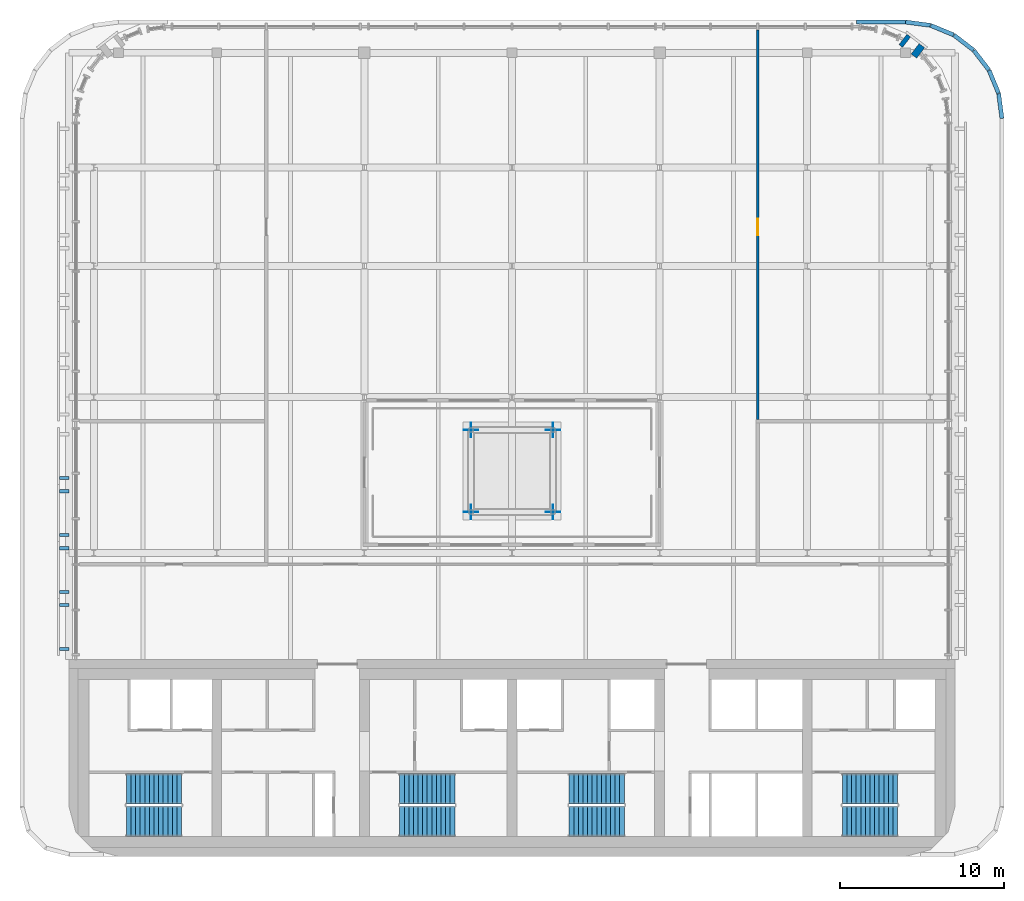
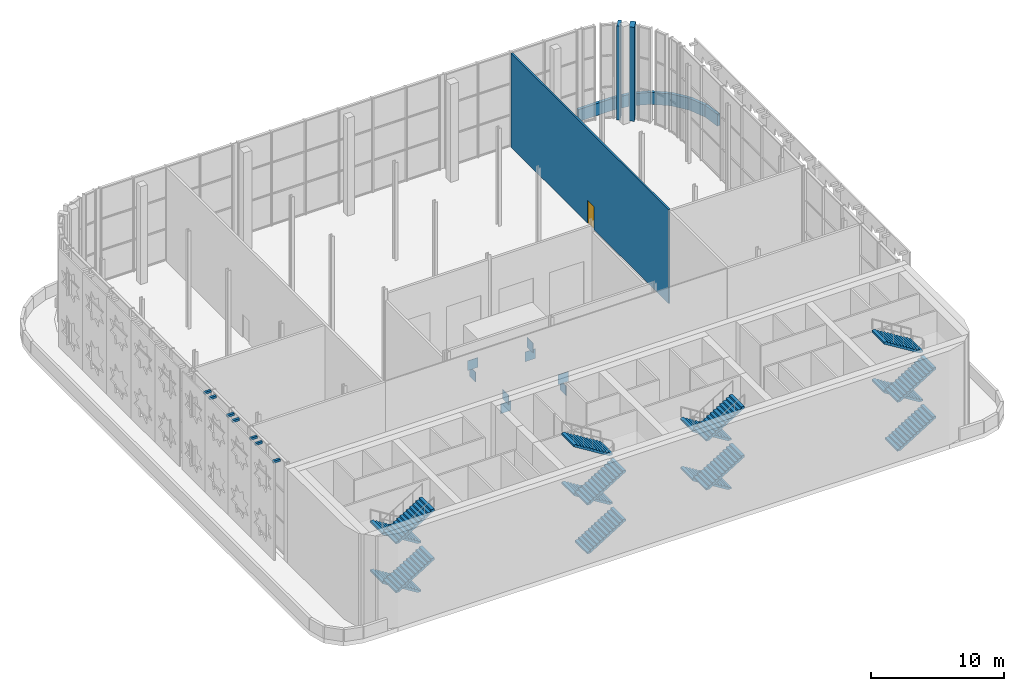
# One storey, part 20 of 26: 16 stair flights, 15 discrete accessories, 10 walls, 1 door, 1 opening, 4 elements without a shape of their own.
"""IFC4 building model written with IfcOpenShell, lengths in metres."""

from ifc_helpers import new_model, si_unit, direction, frame, frame_2d, origin, origin_2d, place, context, subcontext, project, spatial, polyline, rectangle, outline, extrude, material, layer, layer_set, type_object, element, fill, aggregate, save


model = new_model("IFC4")

# Units and contexts
model_context = context("Model", 3, precision=1e-05, world=origin(), true_north=direction((0.0, 1.0)))
body_context = subcontext(model_context, "Body", "Model", "MODEL_VIEW")
ifc_project = project(units=[si_unit("LENGTHUNIT", "METRE"), si_unit("AREAUNIT", "SQUARE_METRE"), si_unit("VOLUMEUNIT", "CUBIC_METRE"), si_unit("PLANEANGLEUNIT", "RADIAN"), si_unit("MASSUNIT", "GRAM", prefix="KILO")], contexts=[model_context])

# Site, building, storey
site_placement = place(None, origin())
site = spatial("IfcSite", under=ifc_project, at=site_placement, CompositionType="ELEMENT")
building_placement = place(site_placement, origin())
building = spatial("IfcBuilding", under=site, at=building_placement, Name="Zellij Exchange Tower", CompositionType="ELEMENT")
storey_placement = place(building_placement, frame((0.0, 0.0, 296.5)))
storey = spatial("IfcBuildingStorey", under=building, at=storey_placement, Name="L70", CompositionType="ELEMENT", Elevation=296.5)

# Walls
ifc_material_1 = material(Name="Precast concrete C40/50", Category="concrete")
ifc_layer_1 = layer(ifc_material_1, 0.800048828125)
ifc_layer_set_1 = layer_set([ifc_layer_1], Name="Precast concrete C40/50")
wall_type_1 = type_object("IfcWallType", Name="ENV-EW1 Precast stone-piered wall 800", PredefinedType="SOLIDWALL", material=ifc_layer_set_1)
wall_1_placement = place(storey_placement, frame((24.91552734375, 34.9892578125, 0.0), z_axis=(0.0, 0.0, 1.0), x_axis=(-0.793165294641, 0.609006416532, 0.0)))
element("IfcWall", 1, at=wall_1_placement, inside=storey, type_object=wall_type_1, Name="fac.L70.08a", PredefinedType="SOLIDWALL", context=body_context, shape_type="SweptSolid", body=[
    extrude(rectangle(XDim=0.4189453125, YDim=0.800048828125, at=frame_2d((0.20947265625, 0.0))), origin(), (0.0, 0.0, 1.0), 8.64990234375),
])
wall_2_placement = place(storey_placement, frame((24.0576171875, 35.647705078125, 0.0), z_axis=(0.0, 0.0, 1.0), x_axis=(-0.793219322038, 0.608936045201, 0.0)))
element("IfcWall", 2, at=wall_2_placement, inside=storey, type_object=wall_type_1, Name="fac.L70.08b", PredefinedType="SOLIDWALL", context=body_context, shape_type="SweptSolid", body=[
    extrude(rectangle(XDim=0.274169921875, YDim=0.800048828125, at=frame_2d((0.13720703125, 0.0))), origin(), (0.0, 0.0, 1.0), 8.64990234375),
])
ifc_layer_2 = layer(ifc_material_1, 0.25)
ifc_layer_set_2 = layer_set([ifc_layer_2], Name="Precast concrete C40/50")
wall_type_2 = type_object("IfcWallType", Name="ENV-PR1 Parapet 250", PredefinedType="PARAPET", material=ifc_layer_set_2)
wall_3_placement = place(storey_placement, frame((29.873779296875, 31.0, 0.0), z_axis=(0.0, 0.0, 1.0), x_axis=(-0.130371242108, 0.991465248625, 0.0)))
element("IfcWall", 3, at=wall_3_placement, inside=storey, type_object=wall_type_2, Name="fac.par.L70.02.01.06", PredefinedType="PARAPET", context=body_context, shape_type="SweptSolid", body=[
    extrude(rectangle(XDim=1.516845703125, YDim=0.25, at=frame_2d((0.75830078125, 0.0))), origin(), (0.0, 0.0, 1.0), 1.10009765625),
])
for number, where, z_axis, x_axis, name in (
    (4, (29.66748046875, 32.535400390625, 0.0), (0.0, 0.0, 1.0), (-0.382696680739, 0.923874044744, 0.0), "fac.par.L70.02.01.07"),
    (5, (29.076904296875, 33.949951171875, 0.0), (0.0, 0.0, 1.0), (-0.608711614562, 0.793391561776, 0.0), "fac.par.L70.02.01.08"),
    (6, (28.140380859375, 35.16357421875, 0.0), (0.0, 0.0, 1.0), (-0.793391561776, 0.608711614562, 0.0), "fac.par.L70.02.01.09"),
    (7, (26.921630859375, 36.09326171875, 0.0), (0.0, 0.0, 1.0), (-0.923874044744, 0.382696680739, 0.0), "fac.par.L70.02.01.10"),
):
    element("IfcWall", number, at=place(storey_placement, frame(where, z_axis=z_axis, x_axis=x_axis)), inside=storey, type_object=wall_type_2, Name=name, PredefinedType="PARAPET", context=body_context, shape_type="SweptSolid", body=[
        extrude(rectangle(XDim=1.50048828125, YDim=0.25, at=frame_2d((0.750244140625, 0.0))), origin(), (0.0, 0.0, 1.0), 1.10009765625),
    ])
wall_4_placement = place(storey_placement, frame((25.50390625, 36.676025390625, 0.0), z_axis=(0.0, 0.0, 1.0), x_axis=(-0.991465248625, 0.130371242108, 0.0)))
element("IfcWall", 8, at=wall_4_placement, inside=storey, type_object=wall_type_2, Name="fac.par.L70.02.01.11", PredefinedType="PARAPET", context=body_context, shape_type="SweptSolid", body=[
    extrude(rectangle(XDim=1.516845703125, YDim=0.25, at=frame_2d((0.75830078125, 0.0))), origin(), (0.0, 0.0, 1.0), 1.10009765625),
])
wall_5_placement = place(storey_placement, frame((23.983642578125, 36.875, 0.0), z_axis=(0.0, 0.0, 1.0), x_axis=(-1.0, 0.0, 0.0)))
element("IfcWall", 9, at=wall_5_placement, inside=storey, type_object=wall_type_2, Name="fac.par.L70.02.01.12", PredefinedType="PARAPET", context=body_context, shape_type="SweptSolid", body=[
    extrude(rectangle(XDim=2.98291015625, YDim=0.25, at=frame_2d((1.491455078125, 0.0))), origin(), (0.0, 0.0, 1.0), 1.10009765625),
])

# Wall, opening, door
ifc_material_2 = material(Name="Gypsum board shaft-wall partition", Category="gypsum")
ifc_layer_3 = layer(ifc_material_2, 0.14990234375)
ifc_layer_set_3 = layer_set([ifc_layer_3], Name="Gypsum board shaft-wall partition")
wall_type_3 = type_object("IfcWallType", Name="FIT-PARTITION-150-EI60", PredefinedType="PARTITIONING", material=ifc_layer_set_3)
wall_6_placement = place(storey_placement, frame((14.989990234375, 12.639892578125, 0.0), z_axis=(0.0, 0.0, 1.0), x_axis=(0.0, 1.0, 0.0)))
wall_6 = element("IfcWall", 10, at=wall_6_placement, inside=storey, type_object=wall_type_3, Name="FIT-PARTITION-150-EI60 011", PredefinedType="PARTITIONING", context=body_context, shape_type="SweptSolid", body=[
    extrude(rectangle(XDim=23.736083984375, YDim=0.14990234375, at=frame_2d((11.8681640625, 0.0))), origin(), (0.0, 0.0, 1.0), 8.64990234375),
])
opening_placement = place(wall_6_placement, frame((11.25, 0.0, 0.0)))
opening = element("IfcOpeningElement", 11, at=opening_placement, cuts=wall_6, Name="Opening DMP.08", PredefinedType="OPENING", context=body_context, shape_type="SweptSolid", body=[
    extrude(rectangle(XDim=1.0, YDim=2.10009765625, at=frame_2d((0.5, 1.050048828125))), frame((0.0, 0.0869140625, 0.0), z_axis=(0.0, -1.0, 0.0), x_axis=(1.0, 0.0, 0.0)), (0.0, 0.0, 1.0), 0.173828125),
])
ifc_material_3 = material(Name="Steel fire door set", Category="steel")
door_type = type_object("IfcDoorType", Name="FIT-D21-PLANT-1000X2100", OperationType="SINGLE_SWING_LEFT", PredefinedType="DOOR", material=ifc_material_3)
door_placement = place(opening_placement, origin())
door = element("IfcDoor", 12, at=door_placement, inside=storey, type_object=door_type, Name="Door DMP.08", OperationType="SINGLE_SWING_LEFT", OverallHeight=2.10009765625, OverallWidth=1.0, PredefinedType="DOOR", context=body_context, shape_type="SweptSolid", body=[
    extrude(rectangle(XDim=1.0, YDim=2.10009765625, at=frame_2d((0.5, 1.050048828125))), frame((0.0, 0.02490234375, 0.0), z_axis=(0.0, -1.0, 0.0), x_axis=(1.0, 0.0, 0.0)), (0.0, 0.0, 1.0), 0.050048828125),
])
fill(opening, door)

# Stair, stair flights
ifc_material_4 = material(Name="Concrete C40/50", Category="concrete")
stair_type = type_object("IfcStairType", Name="CORE-ST exit stair 1850 wide", PredefinedType="HALF_TURN_STAIR", material=ifc_material_4)
stair_1_placement = place(storey_placement, origin())
stair_1 = element("IfcStair", 13, at=stair_1_placement, inside=storey, type_object=stair_type, Name="L70 exit stair ST1", PredefinedType="HALF_TURN_STAIR")
stair_flight_type = type_object("IfcStairFlightType", Name="CORE-SF flight 1850 riser 173.1 going 280", PredefinedType="STRAIGHT", material=ifc_material_4)
stair_flight_1_placement = place(storey_placement, frame((-20.14990234375, -9.875, 0.0), z_axis=(0.0, 0.0, 1.0), x_axis=(-1.0, 0.0, 0.0)))
stair_flight_1 = element("IfcStairFlight", 14, at=stair_flight_1_placement, type_object=stair_flight_type, Name="ST1 flight 1", NumberOfRisers=13, NumberOfTreads=12, PredefinedType="STRAIGHT", RiserHeight=0.173076923, TreadLength=0.28, context=body_context, shape_type="SweptSolid", body=[
    extrude(outline(polyline([(0.0, 0.0), (0.0, 0.173095703125), (0.280029296875, 0.173095703125), (0.280029296875, 0.34619140625), (0.56005859375, 0.34619140625), (0.56005859375, 0.519287109375), (0.840087890625, 0.519287109375), (0.840087890625, 0.6923828125), (1.1201171875, 0.6923828125), (1.1201171875, 0.865478515625), (1.39990234375, 0.865478515625), (1.39990234375, 1.03857421875), (1.679931640625, 1.03857421875), (1.679931640625, 1.21142578125), (1.9599609375, 1.21142578125), (1.9599609375, 1.384521484375), (2.239990234375, 1.384521484375), (2.239990234375, 1.5576171875), (2.52001953125, 1.5576171875), (2.52001953125, 1.730712890625), (2.800048828125, 1.730712890625), (2.800048828125, 1.90380859375), (3.080078125, 1.90380859375), (3.080078125, 2.076904296875), (3.360107421875, 2.076904296875), (3.360107421875, 2.25), (3.360107421875, 1.900634765625), (0.28515625, 0.0), (0.0, 0.0)])), frame((0.0, 0.925048828125, 0.0), z_axis=(0.0, -1.0, 0.0), x_axis=(1.0, 0.0, 0.0)), (0.0, 0.0, 1.0), 1.85009765625),
])
stair_flight_2_placement = place(storey_placement, frame((-23.510009765625, -11.875, 2.25), z_axis=(0.0, 0.0, 1.0), x_axis=(1.0, 0.0, 0.0)))
stair_flight_2 = element("IfcStairFlight", 15, at=stair_flight_2_placement, type_object=stair_flight_type, Name="ST1 flight 2", NumberOfRisers=13, NumberOfTreads=12, PredefinedType="STRAIGHT", RiserHeight=0.173076923, TreadLength=0.28, context=body_context, shape_type="SweptSolid", body=[
    extrude(outline(polyline([(0.0, 0.0), (0.0, 0.173095703125), (0.280029296875, 0.173095703125), (0.280029296875, 0.34619140625), (0.56005859375, 0.34619140625), (0.56005859375, 0.519287109375), (0.840087890625, 0.519287109375), (0.840087890625, 0.6923828125), (1.1201171875, 0.6923828125), (1.1201171875, 0.865478515625), (1.39990234375, 0.865478515625), (1.39990234375, 1.03857421875), (1.679931640625, 1.03857421875), (1.679931640625, 1.21142578125), (1.9599609375, 1.21142578125), (1.9599609375, 1.384521484375), (2.239990234375, 1.384521484375), (2.239990234375, 1.5576171875), (2.52001953125, 1.5576171875), (2.52001953125, 1.730712890625), (2.800048828125, 1.730712890625), (2.800048828125, 1.90380859375), (3.080078125, 1.90380859375), (3.080078125, 2.076904296875), (3.360107421875, 2.076904296875), (3.360107421875, 2.25), (3.360107421875, 1.900634765625), (0.28515625, 0.0), (0.0, 0.0)])), frame((0.0, 0.925048828125, 0.0), z_axis=(0.0, -1.0, 0.0), x_axis=(1.0, 0.0, 0.0)), (0.0, 0.0, 1.0), 1.85009765625),
])
stair_flight_3_placement = place(storey_placement, frame((-20.14990234375, -9.875, 4.5), z_axis=(0.0, 0.0, 1.0), x_axis=(-1.0, 0.0, 0.0)))
stair_flight_3 = element("IfcStairFlight", 16, at=stair_flight_3_placement, type_object=stair_flight_type, Name="ST1 flight 3", NumberOfRisers=13, NumberOfTreads=12, PredefinedType="STRAIGHT", RiserHeight=0.173076923, TreadLength=0.28, context=body_context, shape_type="SweptSolid", body=[
    extrude(outline(polyline([(0.0, 0.0), (0.0, 0.173095703125), (0.280029296875, 0.173095703125), (0.280029296875, 0.34619140625), (0.56005859375, 0.34619140625), (0.56005859375, 0.519287109375), (0.840087890625, 0.519287109375), (0.840087890625, 0.6923828125), (1.1201171875, 0.6923828125), (1.1201171875, 0.865478515625), (1.39990234375, 0.865478515625), (1.39990234375, 1.03857421875), (1.679931640625, 1.03857421875), (1.679931640625, 1.21142578125), (1.9599609375, 1.21142578125), (1.9599609375, 1.384521484375), (2.239990234375, 1.384521484375), (2.239990234375, 1.5576171875), (2.52001953125, 1.5576171875), (2.52001953125, 1.730712890625), (2.800048828125, 1.730712890625), (2.800048828125, 1.90380859375), (3.080078125, 1.90380859375), (3.080078125, 2.076904296875), (3.360107421875, 2.076904296875), (3.360107421875, 2.25), (3.360107421875, 1.900634765625), (0.28515625, 0.0), (0.0, 0.0)])), frame((0.0, 0.925048828125, 0.0), z_axis=(0.0, -1.0, 0.0), x_axis=(1.0, 0.0, 0.0)), (0.0, 0.0, 1.0), 1.85009765625),
])
stair_flight_4_placement = place(storey_placement, frame((-23.510009765625, -11.875, 6.75), z_axis=(0.0, 0.0, 1.0), x_axis=(1.0, 0.0, 0.0)))
stair_flight_4 = element("IfcStairFlight", 17, at=stair_flight_4_placement, type_object=stair_flight_type, Name="ST1 flight 4", NumberOfRisers=13, NumberOfTreads=12, PredefinedType="STRAIGHT", RiserHeight=0.173076923, TreadLength=0.28, context=body_context, shape_type="SweptSolid", body=[
    extrude(outline(polyline([(0.0, 0.0), (0.0, 0.173095703125), (0.280029296875, 0.173095703125), (0.280029296875, 0.34619140625), (0.56005859375, 0.34619140625), (0.56005859375, 0.519287109375), (0.840087890625, 0.519287109375), (0.840087890625, 0.6923828125), (1.1201171875, 0.6923828125), (1.1201171875, 0.865478515625), (1.39990234375, 0.865478515625), (1.39990234375, 1.03857421875), (1.679931640625, 1.03857421875), (1.679931640625, 1.21142578125), (1.9599609375, 1.21142578125), (1.9599609375, 1.384521484375), (2.239990234375, 1.384521484375), (2.239990234375, 1.5576171875), (2.52001953125, 1.5576171875), (2.52001953125, 1.730712890625), (2.800048828125, 1.730712890625), (2.800048828125, 1.90380859375), (3.080078125, 1.90380859375), (3.080078125, 2.076904296875), (3.360107421875, 2.076904296875), (3.360107421875, 2.25), (3.360107421875, 1.900634765625), (0.28515625, 0.0), (0.0, 0.0)])), frame((0.0, 0.925048828125, 0.0), z_axis=(0.0, -1.0, 0.0), x_axis=(1.0, 0.0, 0.0)), (0.0, 0.0, 1.0), 1.85009765625),
])
aggregate(stair_1, [stair_flight_1, stair_flight_2, stair_flight_3, stair_flight_4])

stair_2_placement = place(storey_placement, origin())
stair_2 = element("IfcStair", 18, at=stair_2_placement, inside=storey, type_object=stair_type, Name="L70 exit stair ST2", PredefinedType="HALF_TURN_STAIR")
stair_flight_5_placement = place(storey_placement, frame((-6.85009765625, -11.875, 0.0), z_axis=(0.0, 0.0, 1.0), x_axis=(1.0, 0.0, 0.0)))
stair_flight_5 = element("IfcStairFlight", 19, at=stair_flight_5_placement, type_object=stair_flight_type, Name="ST2 flight 1", NumberOfRisers=13, NumberOfTreads=12, PredefinedType="STRAIGHT", RiserHeight=0.173076923, TreadLength=0.28, context=body_context, shape_type="SweptSolid", body=[
    extrude(outline(polyline([(0.0, 0.0), (0.0, 0.173095703125), (0.280029296875, 0.173095703125), (0.280029296875, 0.34619140625), (0.56005859375, 0.34619140625), (0.56005859375, 0.519287109375), (0.840087890625, 0.519287109375), (0.840087890625, 0.6923828125), (1.1201171875, 0.6923828125), (1.1201171875, 0.865478515625), (1.39990234375, 0.865478515625), (1.39990234375, 1.03857421875), (1.679931640625, 1.03857421875), (1.679931640625, 1.21142578125), (1.9599609375, 1.21142578125), (1.9599609375, 1.384521484375), (2.239990234375, 1.384521484375), (2.239990234375, 1.5576171875), (2.52001953125, 1.5576171875), (2.52001953125, 1.730712890625), (2.800048828125, 1.730712890625), (2.800048828125, 1.90380859375), (3.080078125, 1.90380859375), (3.080078125, 2.076904296875), (3.360107421875, 2.076904296875), (3.360107421875, 2.25), (3.360107421875, 1.900634765625), (0.28515625, 0.0), (0.0, 0.0)])), frame((0.0, 0.925048828125, 0.0), z_axis=(0.0, -1.0, 0.0), x_axis=(1.0, 0.0, 0.0)), (0.0, 0.0, 1.0), 1.85009765625),
])
stair_flight_6_placement = place(storey_placement, frame((-3.489990234375, -9.875, 2.25), z_axis=(0.0, 0.0, 1.0), x_axis=(-1.0, 0.0, 0.0)))
stair_flight_6 = element("IfcStairFlight", 20, at=stair_flight_6_placement, type_object=stair_flight_type, Name="ST2 flight 2", NumberOfRisers=13, NumberOfTreads=12, PredefinedType="STRAIGHT", RiserHeight=0.173076923, TreadLength=0.28, context=body_context, shape_type="SweptSolid", body=[
    extrude(outline(polyline([(0.0, 0.0), (0.0, 0.173095703125), (0.280029296875, 0.173095703125), (0.280029296875, 0.34619140625), (0.56005859375, 0.34619140625), (0.56005859375, 0.519287109375), (0.840087890625, 0.519287109375), (0.840087890625, 0.6923828125), (1.1201171875, 0.6923828125), (1.1201171875, 0.865478515625), (1.39990234375, 0.865478515625), (1.39990234375, 1.03857421875), (1.679931640625, 1.03857421875), (1.679931640625, 1.21142578125), (1.9599609375, 1.21142578125), (1.9599609375, 1.384521484375), (2.239990234375, 1.384521484375), (2.239990234375, 1.5576171875), (2.52001953125, 1.5576171875), (2.52001953125, 1.730712890625), (2.800048828125, 1.730712890625), (2.800048828125, 1.90380859375), (3.080078125, 1.90380859375), (3.080078125, 2.076904296875), (3.360107421875, 2.076904296875), (3.360107421875, 2.25), (3.360107421875, 1.900634765625), (0.28515625, 0.0), (0.0, 0.0)])), frame((0.0, 0.925048828125, 0.0), z_axis=(0.0, -1.0, 0.0), x_axis=(1.0, 0.0, 0.0)), (0.0, 0.0, 1.0), 1.85009765625),
])
stair_flight_7_placement = place(storey_placement, frame((-6.85009765625, -11.875, 4.5), z_axis=(0.0, 0.0, 1.0), x_axis=(1.0, 0.0, 0.0)))
stair_flight_7 = element("IfcStairFlight", 21, at=stair_flight_7_placement, type_object=stair_flight_type, Name="ST2 flight 3", NumberOfRisers=13, NumberOfTreads=12, PredefinedType="STRAIGHT", RiserHeight=0.173076923, TreadLength=0.28, context=body_context, shape_type="SweptSolid", body=[
    extrude(outline(polyline([(0.0, 0.0), (0.0, 0.173095703125), (0.280029296875, 0.173095703125), (0.280029296875, 0.34619140625), (0.56005859375, 0.34619140625), (0.56005859375, 0.519287109375), (0.840087890625, 0.519287109375), (0.840087890625, 0.6923828125), (1.1201171875, 0.6923828125), (1.1201171875, 0.865478515625), (1.39990234375, 0.865478515625), (1.39990234375, 1.03857421875), (1.679931640625, 1.03857421875), (1.679931640625, 1.21142578125), (1.9599609375, 1.21142578125), (1.9599609375, 1.384521484375), (2.239990234375, 1.384521484375), (2.239990234375, 1.5576171875), (2.52001953125, 1.5576171875), (2.52001953125, 1.730712890625), (2.800048828125, 1.730712890625), (2.800048828125, 1.90380859375), (3.080078125, 1.90380859375), (3.080078125, 2.076904296875), (3.360107421875, 2.076904296875), (3.360107421875, 2.25), (3.360107421875, 1.900634765625), (0.28515625, 0.0), (0.0, 0.0)])), frame((0.0, 0.925048828125, 0.0), z_axis=(0.0, -1.0, 0.0), x_axis=(1.0, 0.0, 0.0)), (0.0, 0.0, 1.0), 1.85009765625),
])
stair_flight_8_placement = place(storey_placement, frame((-3.489990234375, -9.875, 6.75), z_axis=(0.0, 0.0, 1.0), x_axis=(-1.0, 0.0, 0.0)))
stair_flight_8 = element("IfcStairFlight", 22, at=stair_flight_8_placement, type_object=stair_flight_type, Name="ST2 flight 4", NumberOfRisers=13, NumberOfTreads=12, PredefinedType="STRAIGHT", RiserHeight=0.173076923, TreadLength=0.28, context=body_context, shape_type="SweptSolid", body=[
    extrude(outline(polyline([(0.0, 0.0), (0.0, 0.173095703125), (0.280029296875, 0.173095703125), (0.280029296875, 0.34619140625), (0.56005859375, 0.34619140625), (0.56005859375, 0.519287109375), (0.840087890625, 0.519287109375), (0.840087890625, 0.6923828125), (1.1201171875, 0.6923828125), (1.1201171875, 0.865478515625), (1.39990234375, 0.865478515625), (1.39990234375, 1.03857421875), (1.679931640625, 1.03857421875), (1.679931640625, 1.21142578125), (1.9599609375, 1.21142578125), (1.9599609375, 1.384521484375), (2.239990234375, 1.384521484375), (2.239990234375, 1.5576171875), (2.52001953125, 1.5576171875), (2.52001953125, 1.730712890625), (2.800048828125, 1.730712890625), (2.800048828125, 1.90380859375), (3.080078125, 1.90380859375), (3.080078125, 2.076904296875), (3.360107421875, 2.076904296875), (3.360107421875, 2.25), (3.360107421875, 1.900634765625), (0.28515625, 0.0), (0.0, 0.0)])), frame((0.0, 0.925048828125, 0.0), z_axis=(0.0, -1.0, 0.0), x_axis=(1.0, 0.0, 0.0)), (0.0, 0.0, 1.0), 1.85009765625),
])
aggregate(stair_2, [stair_flight_5, stair_flight_6, stair_flight_7, stair_flight_8])

stair_3_placement = place(storey_placement, origin())
stair_3 = element("IfcStair", 23, at=stair_3_placement, inside=storey, type_object=stair_type, Name="L70 exit stair ST3", PredefinedType="HALF_TURN_STAIR")
stair_flight_9_placement = place(storey_placement, frame((6.85009765625, -9.875, 0.0), z_axis=(0.0, 0.0, 1.0), x_axis=(-1.0, 0.0, 0.0)))
stair_flight_9 = element("IfcStairFlight", 24, at=stair_flight_9_placement, type_object=stair_flight_type, Name="ST3 flight 1", NumberOfRisers=13, NumberOfTreads=12, PredefinedType="STRAIGHT", RiserHeight=0.173076923, TreadLength=0.28, context=body_context, shape_type="SweptSolid", body=[
    extrude(outline(polyline([(0.0, 0.0), (0.0, 0.173095703125), (0.280029296875, 0.173095703125), (0.280029296875, 0.34619140625), (0.56005859375, 0.34619140625), (0.56005859375, 0.519287109375), (0.840087890625, 0.519287109375), (0.840087890625, 0.6923828125), (1.1201171875, 0.6923828125), (1.1201171875, 0.865478515625), (1.39990234375, 0.865478515625), (1.39990234375, 1.03857421875), (1.679931640625, 1.03857421875), (1.679931640625, 1.21142578125), (1.9599609375, 1.21142578125), (1.9599609375, 1.384521484375), (2.239990234375, 1.384521484375), (2.239990234375, 1.5576171875), (2.52001953125, 1.5576171875), (2.52001953125, 1.730712890625), (2.800048828125, 1.730712890625), (2.800048828125, 1.90380859375), (3.080078125, 1.90380859375), (3.080078125, 2.076904296875), (3.360107421875, 2.076904296875), (3.360107421875, 2.25), (3.360107421875, 1.900634765625), (0.28515625, 0.0), (0.0, 0.0)])), frame((0.0, 0.925048828125, 0.0), z_axis=(0.0, -1.0, 0.0), x_axis=(1.0, 0.0, 0.0)), (0.0, 0.0, 1.0), 1.85009765625),
])
stair_flight_10_placement = place(storey_placement, frame((3.489990234375, -11.875, 2.25), z_axis=(0.0, 0.0, 1.0), x_axis=(1.0, 0.0, 0.0)))
stair_flight_10 = element("IfcStairFlight", 25, at=stair_flight_10_placement, type_object=stair_flight_type, Name="ST3 flight 2", NumberOfRisers=13, NumberOfTreads=12, PredefinedType="STRAIGHT", RiserHeight=0.173076923, TreadLength=0.28, context=body_context, shape_type="SweptSolid", body=[
    extrude(outline(polyline([(0.0, 0.0), (0.0, 0.173095703125), (0.280029296875, 0.173095703125), (0.280029296875, 0.34619140625), (0.56005859375, 0.34619140625), (0.56005859375, 0.519287109375), (0.840087890625, 0.519287109375), (0.840087890625, 0.6923828125), (1.1201171875, 0.6923828125), (1.1201171875, 0.865478515625), (1.39990234375, 0.865478515625), (1.39990234375, 1.03857421875), (1.679931640625, 1.03857421875), (1.679931640625, 1.21142578125), (1.9599609375, 1.21142578125), (1.9599609375, 1.384521484375), (2.239990234375, 1.384521484375), (2.239990234375, 1.5576171875), (2.52001953125, 1.5576171875), (2.52001953125, 1.730712890625), (2.800048828125, 1.730712890625), (2.800048828125, 1.90380859375), (3.080078125, 1.90380859375), (3.080078125, 2.076904296875), (3.360107421875, 2.076904296875), (3.360107421875, 2.25), (3.360107421875, 1.900634765625), (0.28515625, 0.0), (0.0, 0.0)])), frame((0.0, 0.925048828125, 0.0), z_axis=(0.0, -1.0, 0.0), x_axis=(1.0, 0.0, 0.0)), (0.0, 0.0, 1.0), 1.85009765625),
])
stair_flight_11_placement = place(storey_placement, frame((6.85009765625, -9.875, 4.5), z_axis=(0.0, 0.0, 1.0), x_axis=(-1.0, 0.0, 0.0)))
stair_flight_11 = element("IfcStairFlight", 26, at=stair_flight_11_placement, type_object=stair_flight_type, Name="ST3 flight 3", NumberOfRisers=13, NumberOfTreads=12, PredefinedType="STRAIGHT", RiserHeight=0.173076923, TreadLength=0.28, context=body_context, shape_type="SweptSolid", body=[
    extrude(outline(polyline([(0.0, 0.0), (0.0, 0.173095703125), (0.280029296875, 0.173095703125), (0.280029296875, 0.34619140625), (0.56005859375, 0.34619140625), (0.56005859375, 0.519287109375), (0.840087890625, 0.519287109375), (0.840087890625, 0.6923828125), (1.1201171875, 0.6923828125), (1.1201171875, 0.865478515625), (1.39990234375, 0.865478515625), (1.39990234375, 1.03857421875), (1.679931640625, 1.03857421875), (1.679931640625, 1.21142578125), (1.9599609375, 1.21142578125), (1.9599609375, 1.384521484375), (2.239990234375, 1.384521484375), (2.239990234375, 1.5576171875), (2.52001953125, 1.5576171875), (2.52001953125, 1.730712890625), (2.800048828125, 1.730712890625), (2.800048828125, 1.90380859375), (3.080078125, 1.90380859375), (3.080078125, 2.076904296875), (3.360107421875, 2.076904296875), (3.360107421875, 2.25), (3.360107421875, 1.900634765625), (0.28515625, 0.0), (0.0, 0.0)])), frame((0.0, 0.925048828125, 0.0), z_axis=(0.0, -1.0, 0.0), x_axis=(1.0, 0.0, 0.0)), (0.0, 0.0, 1.0), 1.85009765625),
])
stair_flight_12_placement = place(storey_placement, frame((3.489990234375, -11.875, 6.75), z_axis=(0.0, 0.0, 1.0), x_axis=(1.0, 0.0, 0.0)))
stair_flight_12 = element("IfcStairFlight", 27, at=stair_flight_12_placement, type_object=stair_flight_type, Name="ST3 flight 4", NumberOfRisers=13, NumberOfTreads=12, PredefinedType="STRAIGHT", RiserHeight=0.173076923, TreadLength=0.28, context=body_context, shape_type="SweptSolid", body=[
    extrude(outline(polyline([(0.0, 0.0), (0.0, 0.173095703125), (0.280029296875, 0.173095703125), (0.280029296875, 0.34619140625), (0.56005859375, 0.34619140625), (0.56005859375, 0.519287109375), (0.840087890625, 0.519287109375), (0.840087890625, 0.6923828125), (1.1201171875, 0.6923828125), (1.1201171875, 0.865478515625), (1.39990234375, 0.865478515625), (1.39990234375, 1.03857421875), (1.679931640625, 1.03857421875), (1.679931640625, 1.21142578125), (1.9599609375, 1.21142578125), (1.9599609375, 1.384521484375), (2.239990234375, 1.384521484375), (2.239990234375, 1.5576171875), (2.52001953125, 1.5576171875), (2.52001953125, 1.730712890625), (2.800048828125, 1.730712890625), (2.800048828125, 1.90380859375), (3.080078125, 1.90380859375), (3.080078125, 2.076904296875), (3.360107421875, 2.076904296875), (3.360107421875, 2.25), (3.360107421875, 1.900634765625), (0.28515625, 0.0), (0.0, 0.0)])), frame((0.0, 0.925048828125, 0.0), z_axis=(0.0, -1.0, 0.0), x_axis=(1.0, 0.0, 0.0)), (0.0, 0.0, 1.0), 1.85009765625),
])
aggregate(stair_3, [stair_flight_9, stair_flight_10, stair_flight_11, stair_flight_12])

stair_4_placement = place(storey_placement, origin())
stair_4 = element("IfcStair", 28, at=stair_4_placement, inside=storey, type_object=stair_type, Name="L70 exit stair ST4", PredefinedType="HALF_TURN_STAIR")
stair_flight_13_placement = place(storey_placement, frame((20.14990234375, -11.875, 0.0), z_axis=(0.0, 0.0, 1.0), x_axis=(1.0, 0.0, 0.0)))
stair_flight_13 = element("IfcStairFlight", 29, at=stair_flight_13_placement, type_object=stair_flight_type, Name="ST4 flight 1", NumberOfRisers=13, NumberOfTreads=12, PredefinedType="STRAIGHT", RiserHeight=0.173076923, TreadLength=0.28, context=body_context, shape_type="SweptSolid", body=[
    extrude(outline(polyline([(0.0, 0.0), (0.0, 0.173095703125), (0.280029296875, 0.173095703125), (0.280029296875, 0.34619140625), (0.56005859375, 0.34619140625), (0.56005859375, 0.519287109375), (0.840087890625, 0.519287109375), (0.840087890625, 0.6923828125), (1.1201171875, 0.6923828125), (1.1201171875, 0.865478515625), (1.39990234375, 0.865478515625), (1.39990234375, 1.03857421875), (1.679931640625, 1.03857421875), (1.679931640625, 1.21142578125), (1.9599609375, 1.21142578125), (1.9599609375, 1.384521484375), (2.239990234375, 1.384521484375), (2.239990234375, 1.5576171875), (2.52001953125, 1.5576171875), (2.52001953125, 1.730712890625), (2.800048828125, 1.730712890625), (2.800048828125, 1.90380859375), (3.080078125, 1.90380859375), (3.080078125, 2.076904296875), (3.360107421875, 2.076904296875), (3.360107421875, 2.25), (3.360107421875, 1.900634765625), (0.28515625, 0.0), (0.0, 0.0)])), frame((0.0, 0.925048828125, 0.0), z_axis=(0.0, -1.0, 0.0), x_axis=(1.0, 0.0, 0.0)), (0.0, 0.0, 1.0), 1.85009765625),
])
stair_flight_14_placement = place(storey_placement, frame((23.510009765625, -9.875, 2.25), z_axis=(0.0, 0.0, 1.0), x_axis=(-1.0, 0.0, 0.0)))
stair_flight_14 = element("IfcStairFlight", 30, at=stair_flight_14_placement, type_object=stair_flight_type, Name="ST4 flight 2", NumberOfRisers=13, NumberOfTreads=12, PredefinedType="STRAIGHT", RiserHeight=0.173076923, TreadLength=0.28, context=body_context, shape_type="SweptSolid", body=[
    extrude(outline(polyline([(0.0, 0.0), (0.0, 0.173095703125), (0.280029296875, 0.173095703125), (0.280029296875, 0.34619140625), (0.56005859375, 0.34619140625), (0.56005859375, 0.519287109375), (0.840087890625, 0.519287109375), (0.840087890625, 0.6923828125), (1.1201171875, 0.6923828125), (1.1201171875, 0.865478515625), (1.39990234375, 0.865478515625), (1.39990234375, 1.03857421875), (1.679931640625, 1.03857421875), (1.679931640625, 1.21142578125), (1.9599609375, 1.21142578125), (1.9599609375, 1.384521484375), (2.239990234375, 1.384521484375), (2.239990234375, 1.5576171875), (2.52001953125, 1.5576171875), (2.52001953125, 1.730712890625), (2.800048828125, 1.730712890625), (2.800048828125, 1.90380859375), (3.080078125, 1.90380859375), (3.080078125, 2.076904296875), (3.360107421875, 2.076904296875), (3.360107421875, 2.25), (3.360107421875, 1.900634765625), (0.28515625, 0.0), (0.0, 0.0)])), frame((0.0, 0.925048828125, 0.0), z_axis=(0.0, -1.0, 0.0), x_axis=(1.0, 0.0, 0.0)), (0.0, 0.0, 1.0), 1.85009765625),
])
stair_flight_15_placement = place(storey_placement, frame((20.14990234375, -11.875, 4.5), z_axis=(0.0, 0.0, 1.0), x_axis=(1.0, 0.0, 0.0)))
stair_flight_15 = element("IfcStairFlight", 31, at=stair_flight_15_placement, type_object=stair_flight_type, Name="ST4 flight 3", NumberOfRisers=13, NumberOfTreads=12, PredefinedType="STRAIGHT", RiserHeight=0.173076923, TreadLength=0.28, context=body_context, shape_type="SweptSolid", body=[
    extrude(outline(polyline([(0.0, 0.0), (0.0, 0.173095703125), (0.280029296875, 0.173095703125), (0.280029296875, 0.34619140625), (0.56005859375, 0.34619140625), (0.56005859375, 0.519287109375), (0.840087890625, 0.519287109375), (0.840087890625, 0.6923828125), (1.1201171875, 0.6923828125), (1.1201171875, 0.865478515625), (1.39990234375, 0.865478515625), (1.39990234375, 1.03857421875), (1.679931640625, 1.03857421875), (1.679931640625, 1.21142578125), (1.9599609375, 1.21142578125), (1.9599609375, 1.384521484375), (2.239990234375, 1.384521484375), (2.239990234375, 1.5576171875), (2.52001953125, 1.5576171875), (2.52001953125, 1.730712890625), (2.800048828125, 1.730712890625), (2.800048828125, 1.90380859375), (3.080078125, 1.90380859375), (3.080078125, 2.076904296875), (3.360107421875, 2.076904296875), (3.360107421875, 2.25), (3.360107421875, 1.900634765625), (0.28515625, 0.0), (0.0, 0.0)])), frame((0.0, 0.925048828125, 0.0), z_axis=(0.0, -1.0, 0.0), x_axis=(1.0, 0.0, 0.0)), (0.0, 0.0, 1.0), 1.85009765625),
])
stair_flight_16_placement = place(storey_placement, frame((23.510009765625, -9.875, 6.75), z_axis=(0.0, 0.0, 1.0), x_axis=(-1.0, 0.0, 0.0)))
stair_flight_16 = element("IfcStairFlight", 32, at=stair_flight_16_placement, type_object=stair_flight_type, Name="ST4 flight 4", NumberOfRisers=13, NumberOfTreads=12, PredefinedType="STRAIGHT", RiserHeight=0.173076923, TreadLength=0.28, context=body_context, shape_type="SweptSolid", body=[
    extrude(outline(polyline([(0.0, 0.0), (0.0, 0.173095703125), (0.280029296875, 0.173095703125), (0.280029296875, 0.34619140625), (0.56005859375, 0.34619140625), (0.56005859375, 0.519287109375), (0.840087890625, 0.519287109375), (0.840087890625, 0.6923828125), (1.1201171875, 0.6923828125), (1.1201171875, 0.865478515625), (1.39990234375, 0.865478515625), (1.39990234375, 1.03857421875), (1.679931640625, 1.03857421875), (1.679931640625, 1.21142578125), (1.9599609375, 1.21142578125), (1.9599609375, 1.384521484375), (2.239990234375, 1.384521484375), (2.239990234375, 1.5576171875), (2.52001953125, 1.5576171875), (2.52001953125, 1.730712890625), (2.800048828125, 1.730712890625), (2.800048828125, 1.90380859375), (3.080078125, 1.90380859375), (3.080078125, 2.076904296875), (3.360107421875, 2.076904296875), (3.360107421875, 2.25), (3.360107421875, 1.900634765625), (0.28515625, 0.0), (0.0, 0.0)])), frame((0.0, 0.925048828125, 0.0), z_axis=(0.0, -1.0, 0.0), x_axis=(1.0, 0.0, 0.0)), (0.0, 0.0, 1.0), 1.85009765625),
])
aggregate(stair_4, [stair_flight_13, stair_flight_14, stair_flight_15, stair_flight_16])

# Discrete accessories
ifc_material_5 = material(Name="Stainless steel", Category="steel")
discrete_accessory_type = type_object("IfcDiscreteAccessoryType", Name="ENV-BR1 Stone panel bracket 200", PredefinedType="USERDEFINED", material=ifc_material_5)
for number, where, z_axis, x_axis, name in (
    (33, (-27.300048828125, 9.069091796875, 8.72509765625), (0.0, 0.0, 1.0), (0.0, -1.0, 0.0), "Panel bracket"),
    (34, (-27.300048828125, 8.26904296875, 8.72509765625), (0.0, 0.0, 1.0), (0.0, -1.0, 0.0), "Panel bracket"),
    (35, (-27.300048828125, 5.59619140625, 8.72509765625), (0.0, 0.0, 1.0), (0.0, -1.0, 0.0), "Panel bracket"),
    (36, (-27.300048828125, 4.796142578125, 8.72509765625), (0.0, 0.0, 1.0), (0.0, -1.0, 0.0), "Panel bracket"),
    (37, (-27.300048828125, 2.123046875, 8.72509765625), (0.0, 0.0, 1.0), (0.0, -1.0, 0.0), "Panel bracket"),
    (38, (-27.300048828125, 1.322998046875, 8.72509765625), (0.0, 0.0, 1.0), (0.0, -1.0, 0.0), "Panel bracket"),
    (39, (-27.300048828125, -1.35009765625, 8.72509765625), (0.0, 0.0, 1.0), (0.0, -1.0, 0.0), "Panel bracket"),
):
    element("IfcDiscreteAccessory", number, at=place(storey_placement, frame(where, z_axis=z_axis, x_axis=x_axis)), inside=storey, type_object=discrete_accessory_type, Name=name, ObjectType="BRACKET", PredefinedType="USERDEFINED", context=body_context, shape_type="SweptSolid", body=[
        extrude(rectangle(XDim=0.199951171875, YDim=0.60009765625, at=origin_2d()), origin(), (0.0, 0.0, 1.0), 0.199951171875),
    ])
for number, where, z_axis, x_axis, name in (
    (40, (-2.5, 7.0, -0.449951171875), (0.0, 0.0, 1.0), (1.0, 0.0, 0.0), "Gusset plate"),
    (41, (2.5, 7.0, 0.48388671875), (0.0, 0.0, 1.0), (1.0, 0.0, 0.0), "Gusset plate"),
    (42, (2.5, 7.0, -0.449951171875), (0.0, 0.0, 1.0), (0.0, 1.0, 0.0), "Gusset plate"),
    (43, (2.5, 12.0, 0.48388671875), (0.0, 0.0, 1.0), (0.0, 1.0, 0.0), "Gusset plate"),
    (44, (2.5, 12.0, -0.449951171875), (0.0, 0.0, 1.0), (-1.0, 0.0, 0.0), "Gusset plate"),
    (45, (-2.5, 12.0, 0.48388671875), (0.0, 0.0, 1.0), (-1.0, 0.0, 0.0), "Gusset plate"),
    (46, (-2.5, 12.0, -0.449951171875), (0.0, 0.0, 1.0), (0.0, -1.0, 0.0), "Gusset plate"),
    (47, (-2.5, 7.0, 0.48388671875), (0.0, 0.0, 1.0), (0.0, -1.0, 0.0), "Gusset plate"),
):
    element("IfcDiscreteAccessory", number, at=place(storey_placement, frame(where, z_axis=z_axis, x_axis=x_axis)), inside=storey, Name=name, PredefinedType="BRACKET", context=body_context, shape_type="SweptSolid", body=[
        extrude(rectangle(XDim=0.89990234375, YDim=0.030029296875, at=origin_2d()), origin(), (0.0, 0.0, 1.0), 0.89990234375),
    ])

save(model, "model.ifc")
